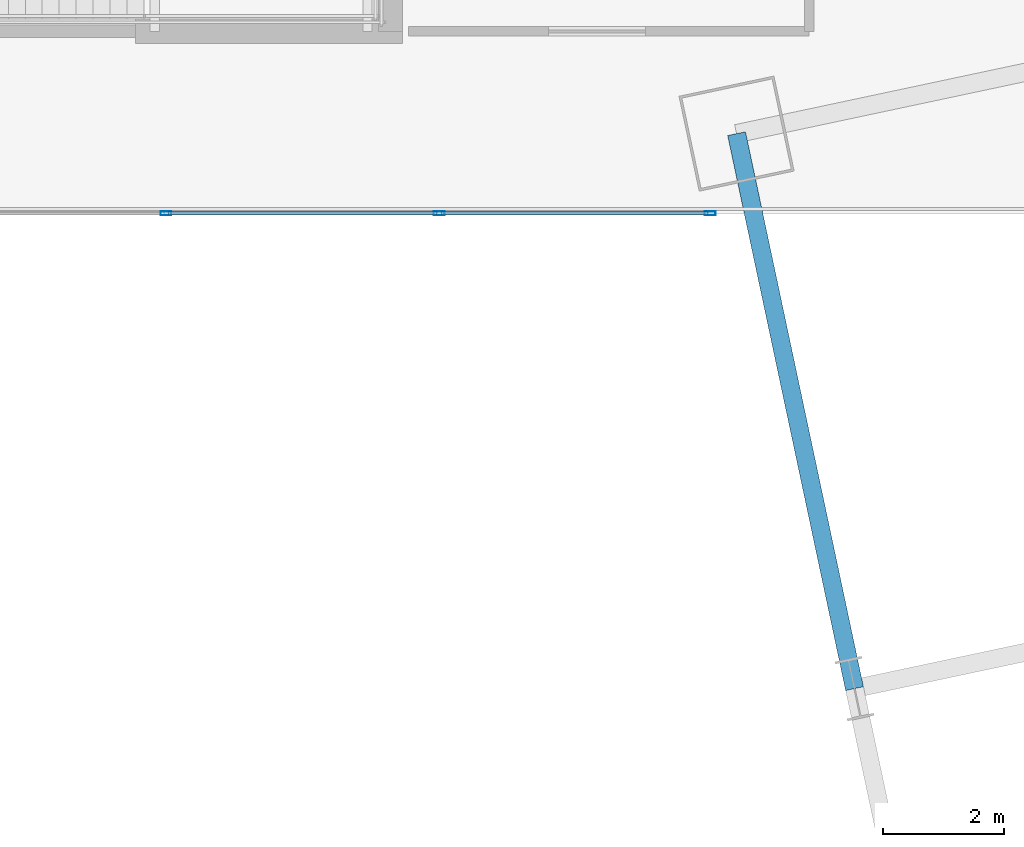
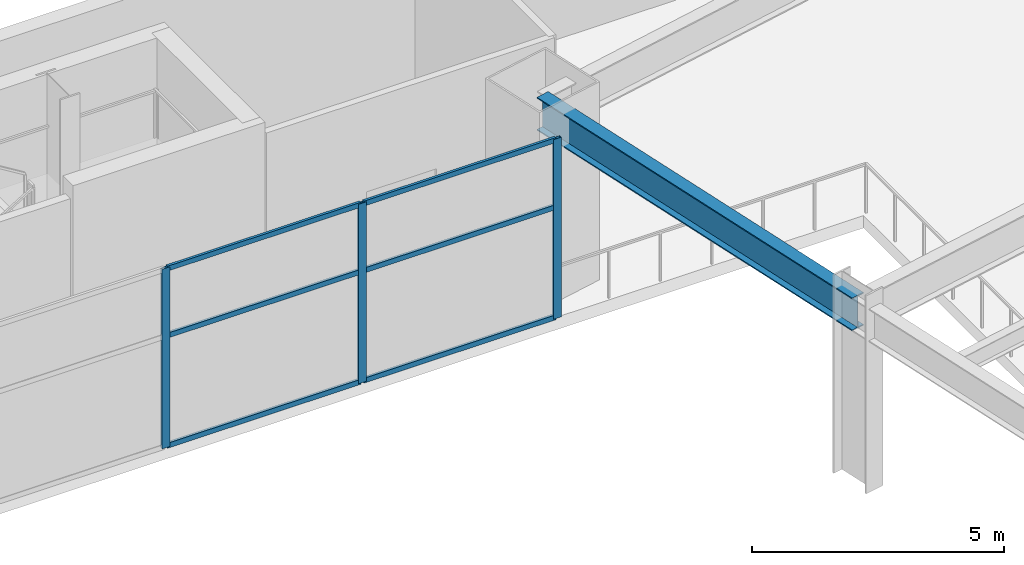
# One storey, part 14 of 35: 9 members, 1 beam, 1 element without a shape of its own.
"""IFC4 building model written with IfcOpenShell, lengths in metres."""

from ifc_helpers import new_model, si_unit, direction, frame, origin, origin_2d, place, context, subcontext, project, spatial, hollow_rectangle, i_section, extrude, material, layer, layer_set, material_profile, profile_set, type_object, element, aggregate, save


model = new_model("IFC4")

# Units and contexts
model_context = context("Model", 3, precision=1e-05, world=origin(), true_north=direction((0.0, 1.0)))
body_context = subcontext(model_context, "Body", "Model", "MODEL_VIEW")
ifc_project = project(units=[si_unit("LENGTHUNIT", "METRE"), si_unit("AREAUNIT", "SQUARE_METRE"), si_unit("VOLUMEUNIT", "CUBIC_METRE"), si_unit("PLANEANGLEUNIT", "RADIAN"), si_unit("MASSUNIT", "GRAM", prefix="KILO")], contexts=[model_context])

# Site, building, storey
site_placement = place(None, origin())
site = spatial("IfcSite", under=ifc_project, at=site_placement, CompositionType="ELEMENT")
building_placement = place(site_placement, origin())
building = spatial("IfcBuilding", under=site, at=building_placement, Name="Haevon Station Towers", CompositionType="ELEMENT")
storey_placement = place(building_placement, frame((0.0, 0.0, 20.39990234375)))
storey = spatial("IfcBuildingStorey", under=building, at=storey_placement, Name="L04", CompositionType="ELEMENT", Elevation=20.39990234375)

# Beam
ifc_material_1 = material(Name="Steel S355", Category="steel")
ifc_material_profile_1 = material_profile(ifc_material_1, i_section(OverallWidth=0.300048828125, OverallDepth=0.800048828125, WebThickness=0.013916015625, FlangeThickness=0.02587890625, at=origin_2d()), Name="H-800x300x14x26")
ifc_profile_set_1 = profile_set([ifc_material_profile_1], Name="Steel S355")
beam_type = type_object("IfcBeamType", Name="BM-PG800", PredefinedType="BEAM", material=ifc_profile_set_1)
beam_placement = place(storey_placement, frame((83.346435546875, 34.167724609375, 4.050048828125), z_axis=(-0.207897167074, 0.978150687738, 0.0), x_axis=(-0.978150687738, -0.207897167074, 0.0)))
element("IfcBeam", 1, at=beam_placement, inside=storey, type_object=beam_type, Name="BM-T2V-L04-01-03", PredefinedType="BEAM", context=body_context, shape_type="SweptSolid", body=[
    extrude(i_section(OverallWidth=0.300048828125, OverallDepth=0.800048828125, WebThickness=0.013916015625, FlangeThickness=0.02587890625, at=origin_2d()), origin(), (0.0, 0.0, 1.0), 9.35009765625),
])

# Curtain wall, members
ifc_material_2 = material(Name="Anodised aluminium and Low-E double glazing", Category="aluminium")
ifc_layer = layer(ifc_material_2, 0.179931640625)
ifc_layer_set = layer_set([ifc_layer], Name="Anodised aluminium and Low-E double glazing")
curtain_wall_type = type_object("IfcCurtainWallType", Name="CW-SYS2", PredefinedType="NOTDEFINED", material=ifc_layer_set)
curtain_wall_placement = place(storey_placement, origin())
curtain_wall = element("IfcCurtainWall", 2, at=curtain_wall_placement, inside=storey, type_object=curtain_wall_type, Name="L04 Curtain Wall CW-POD-L04-ATRN", PredefinedType="NOTDEFINED")
ifc_material_3 = material(Name="Anodised aluminium 6063-T6", Category="aluminium")
ifc_material_profile_2 = material_profile(ifc_material_3, hollow_rectangle(XDim=0.06494140625, YDim=0.179931640625, WallThickness=0.00390625, at=origin_2d()), Name="CWM-180x65x4")
ifc_profile_set_2 = profile_set([ifc_material_profile_2], Name="Anodised aluminium 6063-T6")
member_type_1 = type_object("IfcMemberType", Name="CWM-180", PredefinedType="MULLION", material=ifc_profile_set_2)
member_1_placement = place(storey_placement, frame((72.0, 42.0, 0.0), z_axis=(0.0, 0.0, 1.0), x_axis=(0.0, 1.0, 0.0)))
member_1 = element("IfcMember", 3, at=member_1_placement, type_object=member_type_1, Name="CW-SYS2 mullion 3", PredefinedType="MULLION", context=body_context, shape_type="SweptSolid", body=[
    extrude(hollow_rectangle(XDim=0.06494140625, YDim=0.179931640625, WallThickness=0.00390625, at=origin_2d()), origin(), (0.0, 0.0, 1.0), 4.35009765625),
])
member_2_placement = place(storey_placement, frame((76.5, 42.0, 0.0), z_axis=(0.0, 0.0, 1.0), x_axis=(0.0, 1.0, 0.0)))
member_2 = element("IfcMember", 4, at=member_2_placement, type_object=member_type_1, Name="CW-SYS2 mullion 4", PredefinedType="MULLION", context=body_context, shape_type="SweptSolid", body=[
    extrude(hollow_rectangle(XDim=0.06494140625, YDim=0.179931640625, WallThickness=0.00390625, at=origin_2d()), origin(), (0.0, 0.0, 1.0), 4.35009765625),
])
member_3_placement = place(storey_placement, frame((80.967529296875, 42.0, 0.0), z_axis=(0.0, 0.0, 1.0), x_axis=(0.0, 1.0, 0.0)))
member_3 = element("IfcMember", 5, at=member_3_placement, type_object=member_type_1, Name="CW-SYS2 mullion 5", PredefinedType="MULLION", context=body_context, shape_type="SweptSolid", body=[
    extrude(hollow_rectangle(XDim=0.06494140625, YDim=0.179931640625, WallThickness=0.00390625, at=origin_2d()), origin(), (0.0, 0.0, 1.0), 4.35009765625),
])
ifc_material_profile_3 = material_profile(ifc_material_3, hollow_rectangle(XDim=0.06005859375, YDim=0.1201171875, WallThickness=0.0029296875, at=origin_2d()), Name="CWT-120x60x3")
ifc_profile_set_3 = profile_set([ifc_material_profile_3], Name="Anodised aluminium 6063-T6")
member_type_2 = type_object("IfcMemberType", Name="CWT-120", PredefinedType="USERDEFINED", material=ifc_profile_set_3)
member_4_placement = place(storey_placement, frame((72.032470703125, 42.0, 0.030029296875), z_axis=(1.0, 0.0, 0.0), x_axis=(0.0, 1.0, 0.0)))
member_4 = element("IfcMember", 6, at=member_4_placement, type_object=member_type_2, Name="CW-SYS2 transom 3.1", ObjectType="TRANSOM", PredefinedType="USERDEFINED", context=body_context, shape_type="SweptSolid", body=[
    extrude(hollow_rectangle(XDim=0.06005859375, YDim=0.1201171875, WallThickness=0.0029296875, at=origin_2d()), origin(), (0.0, 0.0, 1.0), 4.43505859375),
])
member_5_placement = place(storey_placement, frame((72.032470703125, 42.0, 2.697021484375), z_axis=(1.0, 0.0, 0.0), x_axis=(0.0, 1.0, 0.0)))
member_5 = element("IfcMember", 7, at=member_5_placement, type_object=member_type_2, Name="CW-SYS2 transom 3.2", ObjectType="TRANSOM", PredefinedType="USERDEFINED", context=body_context, shape_type="SweptSolid", body=[
    extrude(hollow_rectangle(XDim=0.06005859375, YDim=0.1201171875, WallThickness=0.0029296875, at=origin_2d()), origin(), (0.0, 0.0, 1.0), 4.43505859375),
])
member_6_placement = place(storey_placement, frame((72.032470703125, 42.0, 4.320068359375), z_axis=(1.0, 0.0, 0.0), x_axis=(0.0, 1.0, 0.0)))
member_6 = element("IfcMember", 8, at=member_6_placement, type_object=member_type_2, Name="CW-SYS2 transom 3.3", ObjectType="TRANSOM", PredefinedType="USERDEFINED", context=body_context, shape_type="SweptSolid", body=[
    extrude(hollow_rectangle(XDim=0.06005859375, YDim=0.1201171875, WallThickness=0.0029296875, at=origin_2d()), origin(), (0.0, 0.0, 1.0), 4.43505859375),
])
member_7_placement = place(storey_placement, frame((76.532470703125, 42.0, 0.030029296875), z_axis=(1.0, 0.0, 0.0), x_axis=(0.0, 1.0, 0.0)))
member_7 = element("IfcMember", 9, at=member_7_placement, type_object=member_type_2, Name="CW-SYS2 transom 4.1", ObjectType="TRANSOM", PredefinedType="USERDEFINED", context=body_context, shape_type="SweptSolid", body=[
    extrude(hollow_rectangle(XDim=0.06005859375, YDim=0.1201171875, WallThickness=0.0029296875, at=origin_2d()), origin(), (0.0, 0.0, 1.0), 4.402587890625),
])
member_8_placement = place(storey_placement, frame((76.532470703125, 42.0, 2.697021484375), z_axis=(1.0, 0.0, 0.0), x_axis=(0.0, 1.0, 0.0)))
member_8 = element("IfcMember", 10, at=member_8_placement, type_object=member_type_2, Name="CW-SYS2 transom 4.2", ObjectType="TRANSOM", PredefinedType="USERDEFINED", context=body_context, shape_type="SweptSolid", body=[
    extrude(hollow_rectangle(XDim=0.06005859375, YDim=0.1201171875, WallThickness=0.0029296875, at=origin_2d()), origin(), (0.0, 0.0, 1.0), 4.402587890625),
])
member_9_placement = place(storey_placement, frame((76.532470703125, 42.0, 4.320068359375), z_axis=(1.0, 0.0, 0.0), x_axis=(0.0, 1.0, 0.0)))
member_9 = element("IfcMember", 11, at=member_9_placement, type_object=member_type_2, Name="CW-SYS2 transom 4.3", ObjectType="TRANSOM", PredefinedType="USERDEFINED", context=body_context, shape_type="SweptSolid", body=[
    extrude(hollow_rectangle(XDim=0.06005859375, YDim=0.1201171875, WallThickness=0.0029296875, at=origin_2d()), origin(), (0.0, 0.0, 1.0), 4.402587890625),
])
aggregate(curtain_wall, [member_1, member_2, member_3, member_4, member_5, member_6, member_7, member_8, member_9])

save(model, "model.ifc")
